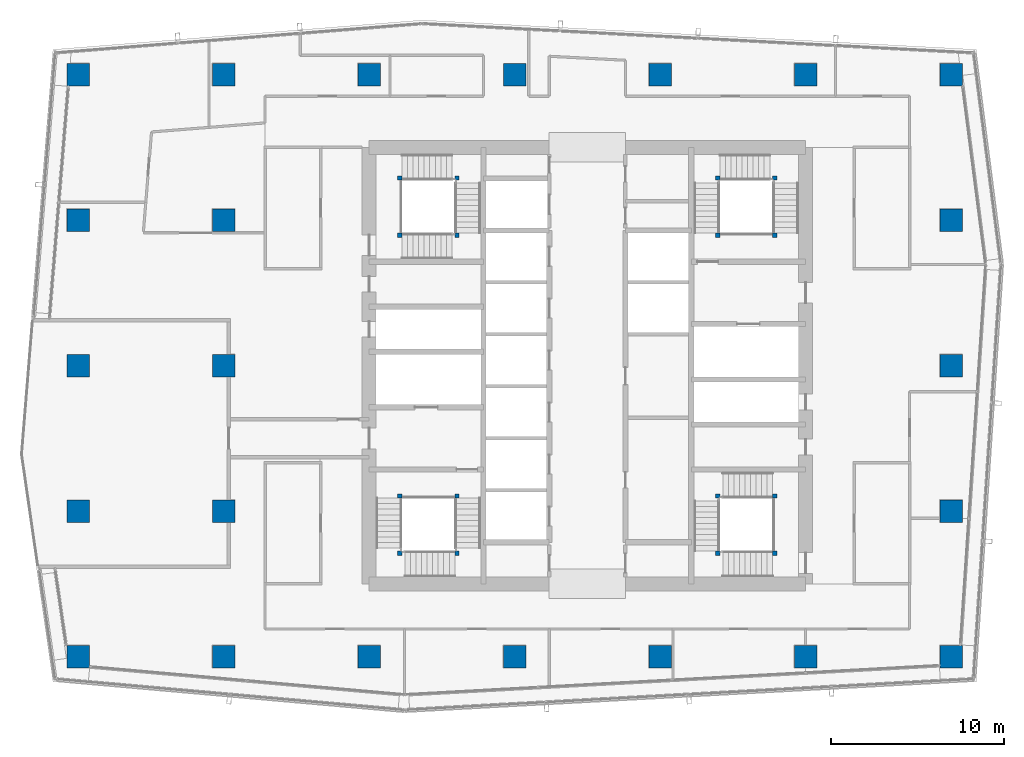
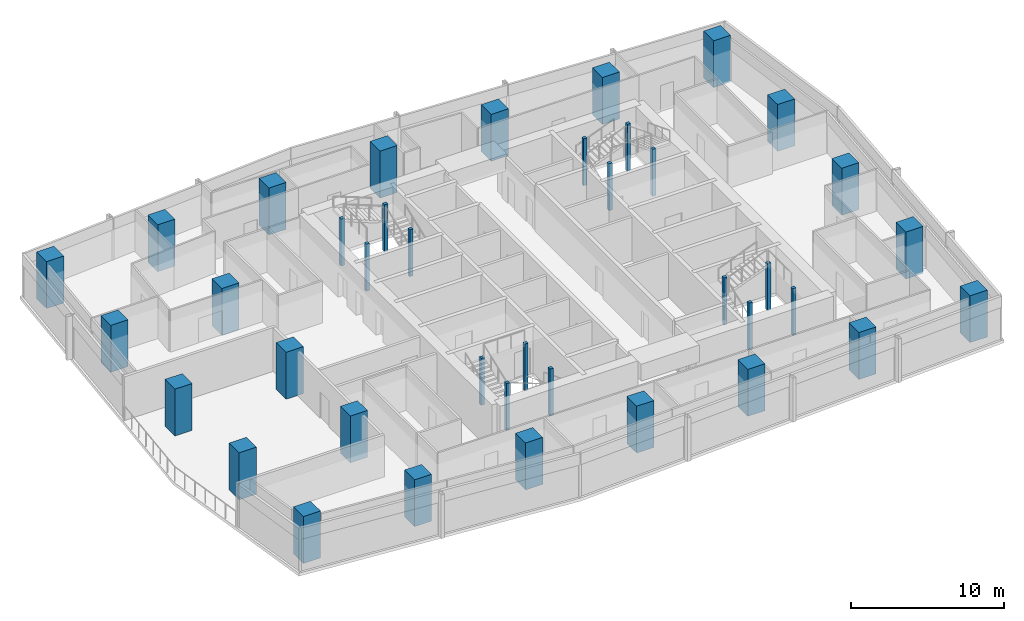
# One storey, part 1 of 28: 39 columns.
"""IFC4 building model written with IfcOpenShell, lengths in metres."""

from ifc_helpers import new_model, si_unit, direction, frame, origin, origin_2d, place, context, subcontext, project, spatial, rectangle, extrude, material, material_profile, profile_set, type_object, element, save


model = new_model("IFC4")

# Units and contexts
model_context = context("Model", 3, precision=1e-05, world=origin(), true_north=direction((0.0, 1.0)))
body_context = subcontext(model_context, "Body", "Model", "MODEL_VIEW")
ifc_project = project(units=[si_unit("LENGTHUNIT", "METRE"), si_unit("AREAUNIT", "SQUARE_METRE"), si_unit("VOLUMEUNIT", "CUBIC_METRE"), si_unit("PLANEANGLEUNIT", "RADIAN"), si_unit("MASSUNIT", "GRAM", prefix="KILO")], contexts=[model_context])

# Site, building, storey
site_placement = place(None, origin())
site = spatial("IfcSite", under=ifc_project, at=site_placement, CompositionType="ELEMENT")
building_placement = place(site_placement, origin())
building = spatial("IfcBuilding", under=site, at=building_placement, Name="Rekha Terrace Tower", CompositionType="ELEMENT")
storey_placement = place(building_placement, frame((0.0, 0.0, 268.85009765625)))
storey = spatial("IfcBuildingStorey", under=building, at=storey_placement, Name="L68", CompositionType="ELEMENT", Elevation=268.85009765625)

# Columns
ifc_material_1 = material(Name="Concrete M70", Category="concrete")
ifc_material_profile_1 = material_profile(ifc_material_1, rectangle(XDim=1.300048828125, YDim=1.300048828125, at=origin_2d()), Name="RC 1300x1300")
ifc_profile_set_1 = profile_set([ifc_material_profile_1], Name="Concrete M70")
column_type_1 = type_object("IfcColumnType", Name="C5D 1300x1300 column", PredefinedType="COLUMN", material=ifc_profile_set_1)
for number, where, z_axis, x_axis, name in (
    (1, (8.39990234375, 16.800048828125, 0.0), (0.0, 0.0, 1.0), (1.0, 0.0, 0.0), "Column C5D 2/C L68"),
    (2, (8.39990234375, 25.199951171875, 0.0), (0.0, 0.0, 1.0), (1.0, 0.0, 0.0), "Column C5D 2/D L68"),
    (3, (8.39990234375, 33.60009765625, 0.0), (0.0, 0.0, 1.0), (1.0, 0.0, 0.0), "Column C5D 2/E L68"),
    (4, (8.39990234375, 42.0, 0.0), (0.0, 0.0, 1.0), (1.0, 0.0, 0.0), "Column C5D 2/F L68"),
    (5, (8.39990234375, 50.39990234375, 0.0), (0.0, 0.0, 1.0), (1.0, 0.0, 0.0), "Column C5D 2/G L68"),
    (6, (16.800048828125, 16.800048828125, 0.0), (0.0, 0.0, 1.0), (1.0, 0.0, 0.0), "Column C5D 3/C L68"),
    (7, (16.800048828125, 25.199951171875, 0.0), (0.0, 0.0, 1.0), (1.0, 0.0, 0.0), "Column C5D 3/D L68"),
    (8, (16.800048828125, 33.60009765625, 0.0), (0.0, 0.0, 1.0), (1.0, 0.0, 0.0), "Column C5D 3/E L68"),
    (9, (16.800048828125, 42.0, 0.0), (0.0, 0.0, 1.0), (1.0, 0.0, 0.0), "Column C5D 3/F L68"),
    (10, (16.800048828125, 50.39990234375, 0.0), (0.0, 0.0, 1.0), (1.0, 0.0, 0.0), "Column C5D 3/G L68"),
    (11, (25.199951171875, 16.800048828125, 0.0), (0.0, 0.0, 1.0), (1.0, 0.0, 0.0), "Column C5D 4/C L68"),
    (12, (25.199951171875, 50.39990234375, 0.0), (0.0, 0.0, 1.0), (1.0, 0.0, 0.0), "Column C5D 4/G L68"),
    (13, (33.60009765625, 16.800048828125, 0.0), (0.0, 0.0, 1.0), (1.0, 0.0, 0.0), "Column C5D 5/C L68"),
    (14, (33.60009765625, 50.39990234375, 0.0), (0.0, 0.0, 1.0), (1.0, 0.0, 0.0), "Column C5D 5/G L68"),
    (15, (42.0, 16.800048828125, 0.0), (0.0, 0.0, 1.0), (1.0, 0.0, 0.0), "Column C5D 6/C L68"),
    (16, (42.0, 50.39990234375, 0.0), (0.0, 0.0, 1.0), (1.0, 0.0, 0.0), "Column C5D 6/G L68"),
    (17, (50.39990234375, 16.800048828125, 0.0), (0.0, 0.0, 1.0), (1.0, 0.0, 0.0), "Column C5D 7/C L68"),
    (18, (50.39990234375, 50.39990234375, 0.0), (0.0, 0.0, 1.0), (1.0, 0.0, 0.0), "Column C5D 7/G L68"),
    (19, (58.800048828125, 16.800048828125, 0.0), (0.0, 0.0, 1.0), (1.0, 0.0, 0.0), "Column C5D 8/C L68"),
    (20, (58.800048828125, 25.199951171875, 0.0), (0.0, 0.0, 1.0), (1.0, 0.0, 0.0), "Column C5D 8/D L68"),
    (21, (58.800048828125, 33.60009765625, 0.0), (0.0, 0.0, 1.0), (1.0, 0.0, 0.0), "Column C5D 8/E L68"),
    (22, (58.800048828125, 42.0, 0.0), (0.0, 0.0, 1.0), (1.0, 0.0, 0.0), "Column C5D 8/F L68"),
    (23, (58.800048828125, 50.39990234375, 0.0), (0.0, 0.0, 1.0), (1.0, 0.0, 0.0), "Column C5D 8/G L68"),
):
    element("IfcColumn", number, at=place(storey_placement, frame(where, z_axis=z_axis, x_axis=x_axis)), inside=storey, type_object=column_type_1, Name=name, PredefinedType="COLUMN", context=body_context, shape_type="SweptSolid", body=[
        extrude(rectangle(XDim=1.300048828125, YDim=1.300048828125, at=origin_2d()), origin(), (0.0, 0.0, 1.0), 3.75),
    ])
ifc_material_2 = material(Name="Concrete M60", Category="concrete")
ifc_material_profile_2 = material_profile(ifc_material_2, rectangle(XDim=0.25, YDim=0.25, at=origin_2d()), Name="RC 250x250")
ifc_profile_set_2 = profile_set([ifc_material_profile_2], Name="Concrete M60")
column_type_2 = type_object("IfcColumnType", Name="NP1 250x250 stair newel post", PredefinedType="COLUMN", material=ifc_profile_set_2)
for number, where, z_axis, x_axis, name in (
    (24, (30.27490234375, 26.074951171875, 0.0), (0.0, 0.0, 1.0), (1.0, 0.0, 0.0), "Stair newel post NP1"),
    (25, (30.27490234375, 22.77490234375, 0.0), (0.0, 0.0, 1.0), (1.0, 0.0, 0.0), "Stair newel post NP1"),
    (26, (26.97509765625, 22.77490234375, 0.0), (0.0, 0.0, 1.0), (1.0, 0.0, 0.0), "Stair newel post NP1"),
    (27, (26.97509765625, 26.074951171875, 0.0), (0.0, 0.0, 1.0), (1.0, 0.0, 0.0), "Stair newel post NP1"),
    (28, (45.324951171875, 41.125, 0.0), (0.0, 0.0, 1.0), (1.0, 0.0, 0.0), "Stair newel post NP1"),
    (29, (45.324951171875, 44.425048828125, 0.0), (0.0, 0.0, 1.0), (1.0, 0.0, 0.0), "Stair newel post NP1"),
    (30, (48.625, 44.425048828125, 0.0), (0.0, 0.0, 1.0), (1.0, 0.0, 0.0), "Stair newel post NP1"),
    (31, (48.625, 41.125, 0.0), (0.0, 0.0, 1.0), (1.0, 0.0, 0.0), "Stair newel post NP1"),
    (32, (48.625, 22.77490234375, 0.0), (0.0, 0.0, 1.0), (1.0, 0.0, 0.0), "Stair newel post NP1"),
    (33, (45.324951171875, 22.77490234375, 0.0), (0.0, 0.0, 1.0), (1.0, 0.0, 0.0), "Stair newel post NP1"),
    (34, (45.324951171875, 26.074951171875, 0.0), (0.0, 0.0, 1.0), (1.0, 0.0, 0.0), "Stair newel post NP1"),
    (35, (48.625, 26.074951171875, 0.0), (0.0, 0.0, 1.0), (1.0, 0.0, 0.0), "Stair newel post NP1"),
    (36, (26.97509765625, 41.125, 0.0), (0.0, 0.0, 1.0), (1.0, 0.0, 0.0), "Stair newel post NP1"),
    (37, (30.27490234375, 41.125, 0.0), (0.0, 0.0, 1.0), (1.0, 0.0, 0.0), "Stair newel post NP1"),
    (38, (30.27490234375, 44.425048828125, 0.0), (0.0, 0.0, 1.0), (1.0, 0.0, 0.0), "Stair newel post NP1"),
    (39, (26.97509765625, 44.425048828125, 0.0), (0.0, 0.0, 1.0), (1.0, 0.0, 0.0), "Stair newel post NP1"),
):
    element("IfcColumn", number, at=place(storey_placement, frame(where, z_axis=z_axis, x_axis=x_axis)), inside=storey, type_object=column_type_2, Name=name, PredefinedType="COLUMN", context=body_context, shape_type="SweptSolid", body=[
        extrude(rectangle(XDim=0.25, YDim=0.25, at=origin_2d()), origin(), (0.0, 0.0, 1.0), 3.75),
    ])

save(model, "model.ifc")
